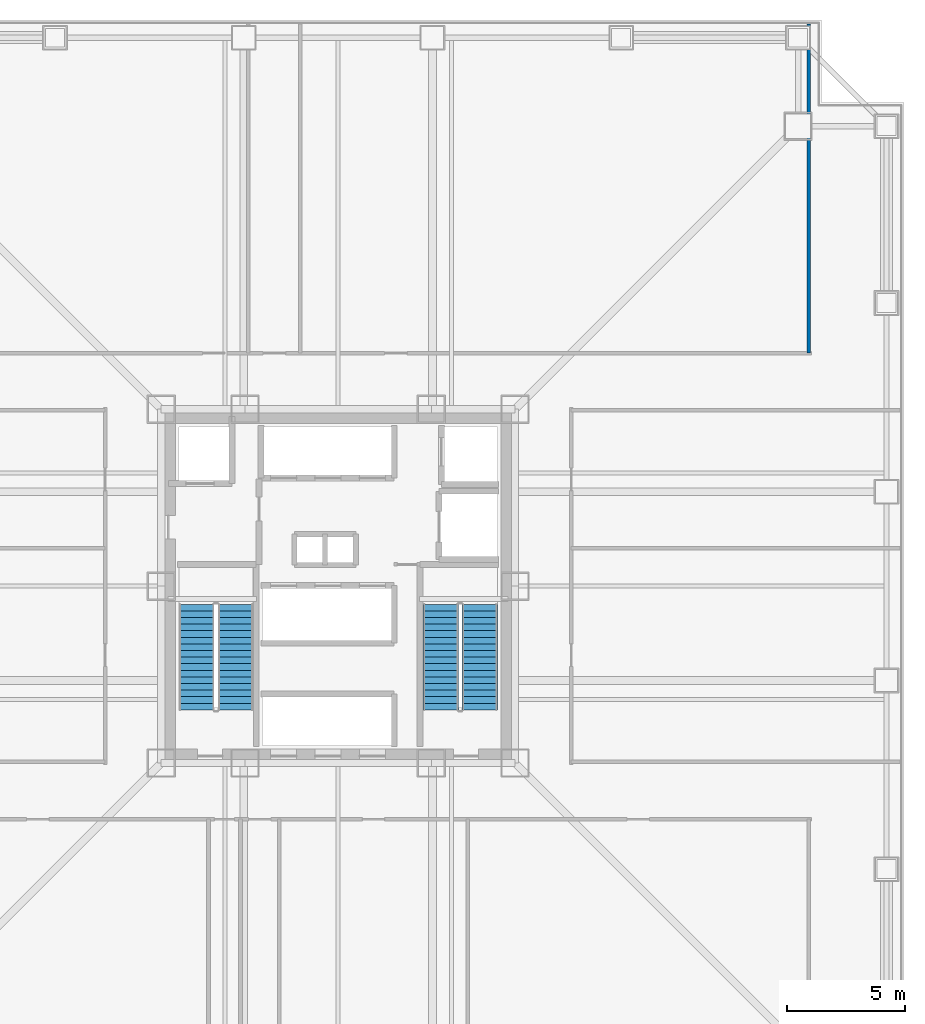
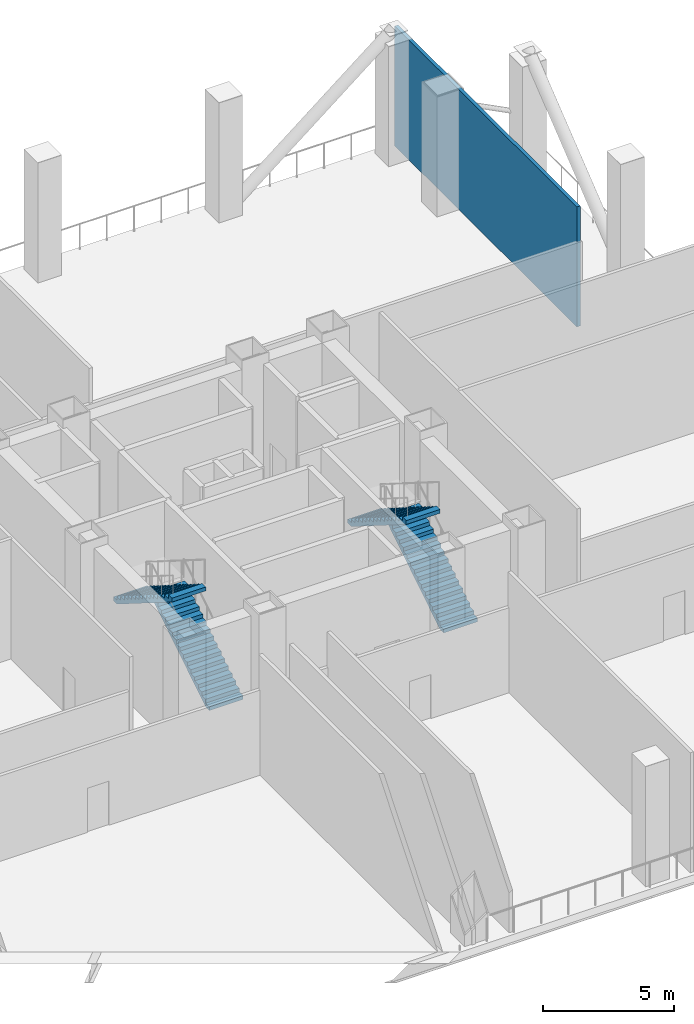
# One storey, part 4 of 7: 4 stair flights, 1 wall, 2 elements without a shape of their own.
"""IFC4 building model written with IfcOpenShell, lengths in metres."""

import ifcopenshell
import ifcopenshell.guid

model = None  # the IFC model being written
_history = None  # IfcOwnerHistory: only IFC2X3 demands one
_inside = {}  # id of a spatial element -> (the spatial element, [elements in it])
_under = {}  # id of a project, library or spatial element -> (it, [spatial elements below it])
_declared = {}  # id of a project -> (the project, [libraries it declares])
_typed = {}  # id of a type object -> (the type object, [elements of that type])
_made_of = {}  # id of a material, layer set ... -> (it, [elements and type objects made of it])


def new_model(schema):
    """Start an empty IFC model of exactly this schema.

    Asked for "IFC4X3", IfcOpenShell would pick the latest addendum, in which some entities
    have other attributes; the version numbers below select the first issue.
    IFC2X3 requires an IfcOwnerHistory on every rooted entity: one is made here for all.
    """
    global model, _history
    if schema == "IFC4X3":
        model = ifcopenshell.file(schema_version=(4, 3, 0, 0))
    else:
        model = ifcopenshell.file(schema=schema)
    _inside.clear()
    _under.clear()
    _declared.clear()
    _typed.clear()
    _made_of.clear()
    _history = None
    if model.schema == "IFC2X3":
        org = make("IfcOrganization", Name="unknown")
        user = make(
            "IfcPersonAndOrganization",
            ThePerson=make("IfcPerson", FamilyName="unknown"),
            TheOrganization=org,
        )
        app = make(
            "IfcApplication",
            ApplicationDeveloper=org,
            Version="unknown",
            ApplicationFullName="unknown",
            ApplicationIdentifier="unknown",
        )
        _history = make(
            "IfcOwnerHistory",
            OwningUser=user,
            OwningApplication=app,
            ChangeAction="ADDED",
            CreationDate=0,
        )
    return model


def make(cls, **values):
    """One entity of the class cls with the attributes given. An attribute that is None is left unset."""
    return model.create_entity(
        cls, **{name: value for name, value in values.items() if value is not None}
    )


def rooted(cls, **values):
    """An entity with a GlobalId (a new one), such as an element, a storey or a relation."""
    return make(cls, GlobalId=ifcopenshell.guid.new(), OwnerHistory=_history, **values)


def si_unit(unit_type, name, prefix=None):
    """IfcSIUnit, for example si_unit("LENGTHUNIT", "METRE", prefix="MILLI")."""
    return make("IfcSIUnit", UnitType=unit_type, Prefix=prefix, Name=name)


def assignment(units):
    """IfcUnitAssignment: the units of a project."""
    return None if units is None else make("IfcUnitAssignment", Units=units)


def point(xyz):
    """IfcCartesianPoint."""
    return None if xyz is None else make("IfcCartesianPoint", Coordinates=xyz)


def direction(xyz):
    """IfcDirection."""
    return None if xyz is None else make("IfcDirection", DirectionRatios=xyz)


def frame(location, z_axis=None, x_axis=None):
    """IfcAxis2Placement3D, a coordinate frame: its origin and axes. An axis left out is left unset."""
    return make(
        "IfcAxis2Placement3D",
        Location=point(location),
        Axis=direction(z_axis),
        RefDirection=direction(x_axis),
    )


def frame_2d(location, x_axis=None):
    """IfcAxis2Placement2D, a coordinate frame in the plane: its origin and x axis."""
    return make(
        "IfcAxis2Placement2D", Location=point(location), RefDirection=direction(x_axis)
    )


def origin():
    """The frame at (0, 0, 0) with its axes left unset."""
    return frame((0.0, 0.0, 0.0))


def place(relative_to, where):
    """IfcLocalPlacement: puts the frame where relative to a parent placement (None: the world)."""
    return make(
        "IfcLocalPlacement", PlacementRelTo=relative_to, RelativePlacement=where
    )


def context(
    kind, dimensions, precision=None, world=None, true_north=None, identifier=None
):
    """IfcGeometricRepresentationContext, for example the 3D "Model" context."""
    return make(
        "IfcGeometricRepresentationContext",
        ContextIdentifier=identifier,
        ContextType=kind,
        CoordinateSpaceDimension=dimensions,
        Precision=precision,
        WorldCoordinateSystem=world,
        TrueNorth=true_north,
    )


def subcontext(parent, identifier, kind, view, scale=None):
    """IfcGeometricRepresentationSubContext, for example "Body" below "Model"."""
    return make(
        "IfcGeometricRepresentationSubContext",
        ContextIdentifier=identifier,
        ContextType=kind,
        ParentContext=parent,
        TargetScale=scale,
        TargetView=view,
    )


def project(units=None, contexts=None):
    """IfcProject with its units and contexts."""
    return rooted(
        "IfcProject",
        Name="project",
        RepresentationContexts=contexts,
        UnitsInContext=assignment(units),
    )


def spatial(cls, under=None, at=None, **own):
    """A site, building, storey or space (cls), placed at a placement, below another one or the project."""
    s = rooted(cls, ObjectPlacement=at, **own)
    if under is not None:
        _under.setdefault(under.id(), (under, []))[1].append(s)
    return s


def polyline(points):
    """IfcPolyline through the points."""
    return make("IfcPolyline", Points=[point(p) for p in points])


def profile(cls, at=None, kind="AREA", **sizes):
    """A parametric profile (cls). Its sizes go by their IFC names, for example OverallWidth=200.0."""
    return make(cls, ProfileType=kind, Position=at, **sizes)


def rectangle(**sizes):
    """IfcRectangleProfileDef."""
    return profile("IfcRectangleProfileDef", **sizes)


def outline(outer, holes=None, kind="AREA"):
    """IfcArbitraryClosedProfileDef: a profile drawn as a closed curve; with holes, ...WithVoids."""
    if holes is None:
        return make("IfcArbitraryClosedProfileDef", ProfileType=kind, OuterCurve=outer)
    return make(
        "IfcArbitraryProfileDefWithVoids",
        ProfileType=kind,
        OuterCurve=outer,
        InnerCurves=holes,
    )


def extrude(swept, where, along, depth):
    """IfcExtrudedAreaSolid: the profile swept, set in the frame where, extruded along a direction by depth."""
    return make(
        "IfcExtrudedAreaSolid",
        SweptArea=swept,
        Position=where,
        ExtrudedDirection=direction(along),
        Depth=depth,
    )


def shape(context_of_items, identifier, shape_type, items):
    """IfcShapeRepresentation: the items that make up one representation, for example the "Body"."""
    return make(
        "IfcShapeRepresentation",
        ContextOfItems=context_of_items,
        RepresentationIdentifier=identifier,
        RepresentationType=shape_type,
        Items=items,
    )


def material(Name=None, Category=None):
    """IfcMaterial."""
    return make("IfcMaterial", Name=Name, Category=Category)


def layer(
    of_material, thickness, ventilated=None, Name=None, Category=None, Priority=None
):
    """IfcMaterialLayer: one layer of a wall or slab, of a material (None: an air gap)."""
    return make(
        "IfcMaterialLayer",
        Material=of_material,
        LayerThickness=thickness,
        IsVentilated=ventilated,
        Name=Name,
        Category=Category,
        Priority=Priority,
    )


def layer_set(layers, Name=None):
    """IfcMaterialLayerSet."""
    return make("IfcMaterialLayerSet", MaterialLayers=layers, LayerSetName=Name)


def made_of(thing, what):
    """Note that an element or type object is made of a material, layer set ...; save() writes the relation."""
    if what is not None:
        _made_of.setdefault(what.id(), (what, []))[1].append(thing)
    return thing


def type_object(cls, material=None, **own):
    """A type object (cls), such as IfcWallType, which elements share."""
    return made_of(rooted(cls, **own), material)


def element(
    cls,
    number,
    at=None,
    inside=None,
    cuts=None,
    type_object=None,
    material=None,
    context=None,
    identifier="Body",
    shape_type=None,
    held_by="IfcProductDefinitionShape",
    body=None,
    shapes=None,
    **own,
):
    """One element of the class cls, such as IfcWall. Its Tag is "e" and its number.

    at: its placement. inside: the storey or other place that contains it. cuts: it is an
    opening in that element (IfcRelVoidsElement). A single representation is given by context,
    identifier, shape_type and body (its items); several are given by shapes. held_by: the class
    of the entity that holds the representations. save() writes the other relations.
    """
    e = rooted(cls, Tag="e%d" % number, ObjectPlacement=at, **own)
    if body is not None:
        shapes = [shape(context, identifier, shape_type, body)]
    if shapes is not None:
        e.Representation = make(held_by, Representations=shapes)
    if inside is not None:
        _inside.setdefault(inside.id(), (inside, []))[1].append(e)
    if cuts is not None:
        rooted(
            "IfcRelVoidsElement", RelatingBuildingElement=cuts, RelatedOpeningElement=e
        )
    if type_object is not None:
        _typed.setdefault(type_object.id(), (type_object, []))[1].append(e)
    return made_of(e, material)


def aggregate(whole, parts):
    """IfcRelAggregates: a whole, such as a stair, and the parts it consists of."""
    return rooted("IfcRelAggregates", RelatingObject=whole, RelatedObjects=parts)


def save(model, path):
    """Write the relations noted so far, then the file.

    IfcRelAggregates (storeys below a building ...), IfcRelContainedInSpatialStructure (elements
    in a storey), IfcRelDefinesByType, IfcRelAssociatesMaterial and IfcRelDeclares: one each for
    every whole, place, type object, material and project.
    """
    for whole, parts in _under.values():
        aggregate(whole, parts)
    for where, things in _inside.values():
        rooted(
            "IfcRelContainedInSpatialStructure",
            RelatedElements=things,
            RelatingStructure=where,
        )
    for kind, things in _typed.values():
        rooted("IfcRelDefinesByType", RelatedObjects=things, RelatingType=kind)
    for what, things in _made_of.values():
        rooted("IfcRelAssociatesMaterial", RelatedObjects=things, RelatingMaterial=what)
    for by, libraries in _declared.values():
        rooted("IfcRelDeclares", RelatingContext=by, RelatedDefinitions=libraries)
    model.write(path)


model = new_model("IFC4")

# Units and contexts
model_context = context("Model", 3, precision=1e-05, world=origin(), true_north=direction((0.0, 1.0)))
body_context = subcontext(model_context, "Body", "Model", "MODEL_VIEW")
ifc_project = project(units=[si_unit("LENGTHUNIT", "METRE"), si_unit("AREAUNIT", "SQUARE_METRE"), si_unit("VOLUMEUNIT", "CUBIC_METRE"), si_unit("PLANEANGLEUNIT", "RADIAN"), si_unit("MASSUNIT", "GRAM", prefix="KILO")], contexts=[model_context])

# Site, building, storey
site_placement = place(None, origin())
site = spatial("IfcSite", under=ifc_project, at=site_placement, CompositionType="ELEMENT")
building_placement = place(site_placement, origin())
building = spatial("IfcBuilding", under=site, at=building_placement, Name="Trevonay Congress Spire", CompositionType="ELEMENT")
storey_placement = place(building_placement, frame((0.0, 0.0, 88.0)))
storey = spatial("IfcBuildingStorey", under=building, at=storey_placement, Name="L22", CompositionType="ELEMENT", Elevation=88.0)

# Wall
ifc_material = material(Name="Concrete C40/50", Category="concrete")
ifc_layer = layer(ifc_material, 0.14990234375, Name="Concrete C40/50")
ifc_layer_set = layer_set([ifc_layer], Name="Concrete C40/50")
wall_type = type_object("IfcWallType", Name="WAL-PART-150", PredefinedType="PARTITIONING", material=ifc_layer_set)
wall_placement = place(storey_placement, frame((19.949951171875, 9.8798828125, 0.0), z_axis=(0.0, 0.0, 1.0), x_axis=(0.0, 1.0, 0.0)))
element("IfcWall", 1, at=wall_placement, inside=storey, type_object=wall_type, Name="L22 interior wall WP-L22N-DIV4", PredefinedType="PARTITIONING", context=body_context, shape_type="SweptSolid", body=[
    extrude(rectangle(XDim=13.940185546875, YDim=0.14990234375, at=frame_2d((6.97021484375, 0.0))), origin(), (0.0, 0.0, 1.0), 5.60009765625),
])

# Stair, stair flights
stair_type_1 = type_object("IfcStairType", Name="STR-ST-1", PredefinedType="HALF_TURN_STAIR", material=ifc_material)
stair_1_placement = place(storey_placement, origin())
stair_1 = element("IfcStair", 2, at=stair_1_placement, inside=storey, type_object=stair_type_1, Name="L22 Protected Exit Stair ST-1", PredefinedType="HALF_TURN_STAIR")
stair_flight_type_1 = type_object("IfcStairFlightType", Name="SFL-ST-1", PredefinedType="STRAIGHT", material=ifc_material)
stair_flight_1_placement = place(storey_placement, frame((-4.35009765625, -5.25, 0.0), z_axis=(0.0, 0.0, 1.0), x_axis=(0.0, 1.0, 0.0)))
stair_flight_1 = element("IfcStairFlight", 3, at=stair_flight_1_placement, type_object=stair_flight_type_1, Name="ST-1 flight 1", NumberOfRisers=17, NumberOfTreads=16, PredefinedType="STRAIGHT", RiserHeight=0.176470588, TreadLength=0.28, context=body_context, shape_type="SweptSolid", body=[
    extrude(outline(polyline([(0.0, 0.0), (0.0, 0.176513671875), (0.280029296875, 0.176513671875), (0.280029296875, 0.35302734375), (0.56005859375, 0.35302734375), (0.56005859375, 0.529296875), (0.840087890625, 0.529296875), (0.840087890625, 0.705810546875), (1.1201171875, 0.705810546875), (1.1201171875, 0.88232421875), (1.39990234375, 0.88232421875), (1.39990234375, 1.058837890625), (1.679931640625, 1.058837890625), (1.679931640625, 1.2353515625), (1.9599609375, 1.2353515625), (1.9599609375, 1.411865234375), (2.239990234375, 1.411865234375), (2.239990234375, 1.588134765625), (2.52001953125, 1.588134765625), (2.52001953125, 1.7646484375), (2.800048828125, 1.7646484375), (2.800048828125, 1.941162109375), (3.080078125, 1.941162109375), (3.080078125, 2.11767578125), (3.360107421875, 2.11767578125), (3.360107421875, 2.294189453125), (3.639892578125, 2.294189453125), (3.639892578125, 2.470703125), (3.919921875, 2.470703125), (3.919921875, 2.64697265625), (4.199951171875, 2.64697265625), (4.199951171875, 2.823486328125), (4.47998046875, 2.823486328125), (4.47998046875, 3.0), (4.47998046875, 2.646240234375), (0.28125, 0.0), (0.0, 0.0)])), frame((0.0, 0.75, 0.0), z_axis=(0.0, -1.0, 0.0), x_axis=(1.0, 0.0, 0.0)), (0.0, 0.0, 1.0), 1.5),
])
stair_flight_2_placement = place(storey_placement, frame((-6.0, -0.77001953125, 3.0), z_axis=(0.0, 0.0, 1.0), x_axis=(0.0, -1.0, 0.0)))
stair_flight_2 = element("IfcStairFlight", 4, at=stair_flight_2_placement, type_object=stair_flight_type_1, Name="ST-1 flight 2", NumberOfRisers=17, NumberOfTreads=16, PredefinedType="STRAIGHT", RiserHeight=0.176470588, TreadLength=0.28, context=body_context, shape_type="SweptSolid", body=[
    extrude(outline(polyline([(0.0, 0.0), (0.0, 0.176513671875), (0.280029296875, 0.176513671875), (0.280029296875, 0.35302734375), (0.56005859375, 0.35302734375), (0.56005859375, 0.529296875), (0.840087890625, 0.529296875), (0.840087890625, 0.705810546875), (1.1201171875, 0.705810546875), (1.1201171875, 0.88232421875), (1.39990234375, 0.88232421875), (1.39990234375, 1.058837890625), (1.679931640625, 1.058837890625), (1.679931640625, 1.2353515625), (1.9599609375, 1.2353515625), (1.9599609375, 1.411865234375), (2.239990234375, 1.411865234375), (2.239990234375, 1.588134765625), (2.52001953125, 1.588134765625), (2.52001953125, 1.7646484375), (2.800048828125, 1.7646484375), (2.800048828125, 1.941162109375), (3.080078125, 1.941162109375), (3.080078125, 2.11767578125), (3.360107421875, 2.11767578125), (3.360107421875, 2.294189453125), (3.639892578125, 2.294189453125), (3.639892578125, 2.470703125), (3.919921875, 2.470703125), (3.919921875, 2.64697265625), (4.199951171875, 2.64697265625), (4.199951171875, 2.823486328125), (4.47998046875, 2.823486328125), (4.47998046875, 3.0), (4.47998046875, 2.646240234375), (0.28125, 0.0), (0.0, 0.0)])), frame((0.0, 0.75, 0.0), z_axis=(0.0, -1.0, 0.0), x_axis=(1.0, 0.0, 0.0)), (0.0, 0.0, 1.0), 1.5),
])
aggregate(stair_1, [stair_flight_1, stair_flight_2])

stair_type_2 = type_object("IfcStairType", Name="STR-ST-2", PredefinedType="HALF_TURN_STAIR", material=ifc_material)
stair_2_placement = place(storey_placement, origin())
stair_2 = element("IfcStair", 5, at=stair_2_placement, inside=storey, type_object=stair_type_2, Name="L22 Protected Exit Stair ST-2", PredefinedType="HALF_TURN_STAIR")
stair_flight_type_2 = type_object("IfcStairFlightType", Name="SFL-ST-2", PredefinedType="STRAIGHT", material=ifc_material)
stair_flight_3_placement = place(storey_placement, frame((6.0, -5.25, 0.0), z_axis=(0.0, 0.0, 1.0), x_axis=(0.0, 1.0, 0.0)))
stair_flight_3 = element("IfcStairFlight", 6, at=stair_flight_3_placement, type_object=stair_flight_type_2, Name="ST-2 flight 1", NumberOfRisers=17, NumberOfTreads=16, PredefinedType="STRAIGHT", RiserHeight=0.176470588, TreadLength=0.28, context=body_context, shape_type="SweptSolid", body=[
    extrude(outline(polyline([(0.0, 0.0), (0.0, 0.176513671875), (0.280029296875, 0.176513671875), (0.280029296875, 0.35302734375), (0.56005859375, 0.35302734375), (0.56005859375, 0.529296875), (0.840087890625, 0.529296875), (0.840087890625, 0.705810546875), (1.1201171875, 0.705810546875), (1.1201171875, 0.88232421875), (1.39990234375, 0.88232421875), (1.39990234375, 1.058837890625), (1.679931640625, 1.058837890625), (1.679931640625, 1.2353515625), (1.9599609375, 1.2353515625), (1.9599609375, 1.411865234375), (2.239990234375, 1.411865234375), (2.239990234375, 1.588134765625), (2.52001953125, 1.588134765625), (2.52001953125, 1.7646484375), (2.800048828125, 1.7646484375), (2.800048828125, 1.941162109375), (3.080078125, 1.941162109375), (3.080078125, 2.11767578125), (3.360107421875, 2.11767578125), (3.360107421875, 2.294189453125), (3.639892578125, 2.294189453125), (3.639892578125, 2.470703125), (3.919921875, 2.470703125), (3.919921875, 2.64697265625), (4.199951171875, 2.64697265625), (4.199951171875, 2.823486328125), (4.47998046875, 2.823486328125), (4.47998046875, 3.0), (4.47998046875, 2.646240234375), (0.28125, 0.0), (0.0, 0.0)])), frame((0.0, 0.75, 0.0), z_axis=(0.0, -1.0, 0.0), x_axis=(1.0, 0.0, 0.0)), (0.0, 0.0, 1.0), 1.5),
])
stair_flight_4_placement = place(storey_placement, frame((4.35009765625, -0.77001953125, 3.0), z_axis=(0.0, 0.0, 1.0), x_axis=(0.0, -1.0, 0.0)))
stair_flight_4 = element("IfcStairFlight", 7, at=stair_flight_4_placement, type_object=stair_flight_type_2, Name="ST-2 flight 2", NumberOfRisers=17, NumberOfTreads=16, PredefinedType="STRAIGHT", RiserHeight=0.176470588, TreadLength=0.28, context=body_context, shape_type="SweptSolid", body=[
    extrude(outline(polyline([(0.0, 0.0), (0.0, 0.176513671875), (0.280029296875, 0.176513671875), (0.280029296875, 0.35302734375), (0.56005859375, 0.35302734375), (0.56005859375, 0.529296875), (0.840087890625, 0.529296875), (0.840087890625, 0.705810546875), (1.1201171875, 0.705810546875), (1.1201171875, 0.88232421875), (1.39990234375, 0.88232421875), (1.39990234375, 1.058837890625), (1.679931640625, 1.058837890625), (1.679931640625, 1.2353515625), (1.9599609375, 1.2353515625), (1.9599609375, 1.411865234375), (2.239990234375, 1.411865234375), (2.239990234375, 1.588134765625), (2.52001953125, 1.588134765625), (2.52001953125, 1.7646484375), (2.800048828125, 1.7646484375), (2.800048828125, 1.941162109375), (3.080078125, 1.941162109375), (3.080078125, 2.11767578125), (3.360107421875, 2.11767578125), (3.360107421875, 2.294189453125), (3.639892578125, 2.294189453125), (3.639892578125, 2.470703125), (3.919921875, 2.470703125), (3.919921875, 2.64697265625), (4.199951171875, 2.64697265625), (4.199951171875, 2.823486328125), (4.47998046875, 2.823486328125), (4.47998046875, 3.0), (4.47998046875, 2.646240234375), (0.28125, 0.0), (0.0, 0.0)])), frame((0.0, 0.75, 0.0), z_axis=(0.0, -1.0, 0.0), x_axis=(1.0, 0.0, 0.0)), (0.0, 0.0, 1.0), 1.5),
])
aggregate(stair_2, [stair_flight_3, stair_flight_4])

save(model, "model.ifc")
